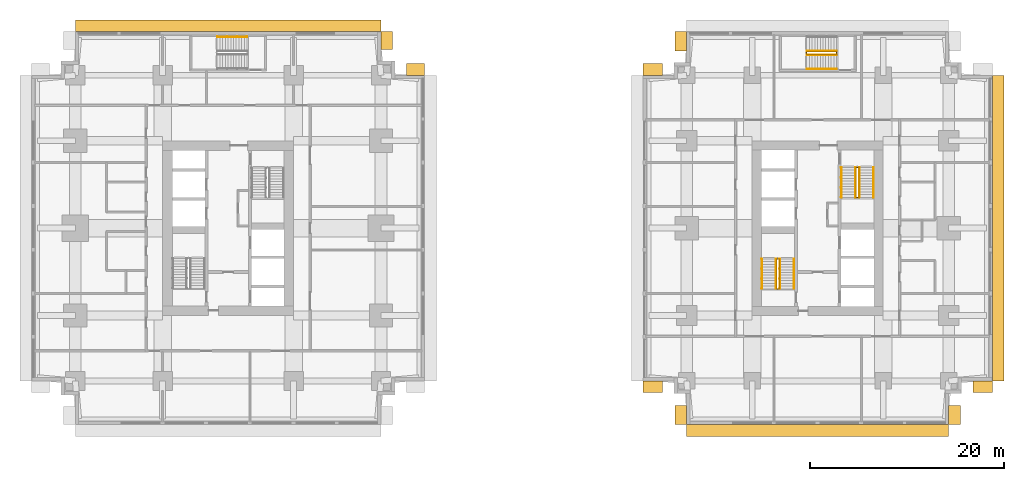
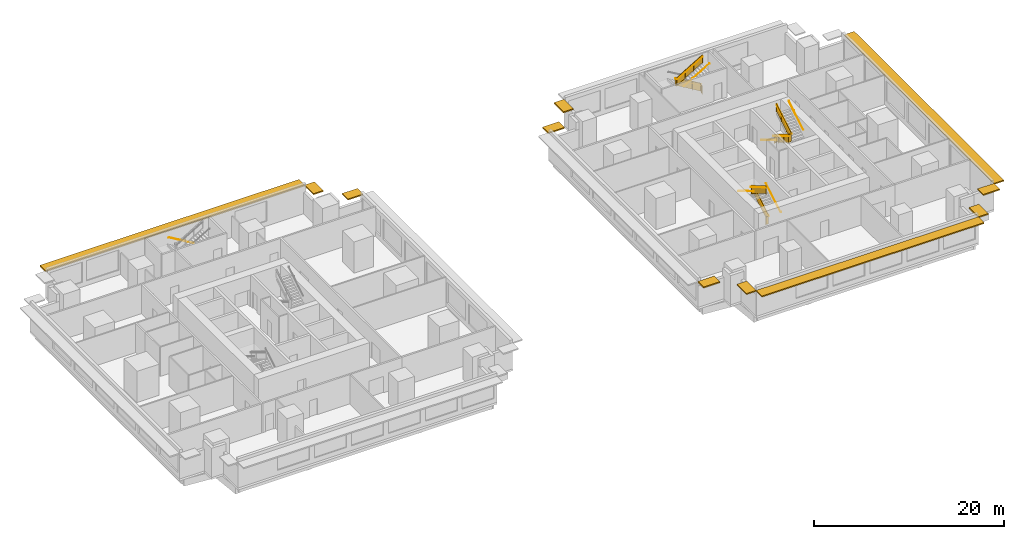
# One storey, part 10 of 11: 15 railings, 11 shading devices.
"""IFC4 building model written with IfcOpenShell, lengths in metres."""

from ifc_helpers import new_model, si_unit, direction, frame, origin, origin_2d, place, context, subcontext, project, spatial, polyline, rectangle, circle, outline, extrude, material, layer, layer_set, type_object, element, save


model = new_model("IFC4")

# Units and contexts
model_context = context("Model", 3, precision=1e-05, world=origin(), true_north=direction((0.0, 1.0)))
body_context = subcontext(model_context, "Body", "Model", "MODEL_VIEW")
ifc_project = project(units=[si_unit("LENGTHUNIT", "METRE"), si_unit("AREAUNIT", "SQUARE_METRE"), si_unit("VOLUMEUNIT", "CUBIC_METRE"), si_unit("PLANEANGLEUNIT", "RADIAN"), si_unit("MASSUNIT", "GRAM", prefix="KILO")], contexts=[model_context])

# Site, building, storey
site_placement = place(None, origin())
site = spatial("IfcSite", under=ifc_project, at=site_placement, CompositionType="ELEMENT")
building_placement = place(site_placement, origin())
building = spatial("IfcBuilding", under=site, at=building_placement, Name="Namib Vertical Campus", CompositionType="ELEMENT")
storey_placement = place(building_placement, frame((0.0, 0.0, 73.0)))
storey = spatial("IfcBuildingStorey", under=building, at=storey_placement, Name="L17", CompositionType="ELEMENT", Elevation=73.0)

# Railings
ifc_material_1 = material(Name="Steel handrail", Category="steel")
railing_type_1 = type_object("IfcRailingType", Name="Handrail 900", PredefinedType="HANDRAIL", material=ifc_material_1)
railing_1_placement = place(storey_placement, frame((78.550048828125, 14.0, 0.166748046875)))
element("IfcRailing", 1, at=railing_1_placement, inside=storey, type_object=railing_type_1, Name="Handrail HR1 B-S1 L17 1", PredefinedType="HANDRAIL", context=body_context, shape_type="SweptSolid", body=[
    extrude(circle(Radius=0.02392578125, at=origin_2d()), frame((0.0, 0.0, 0.8759765625), z_axis=(0.0, 0.859308565015, 0.511457515432), x_axis=(-1.0, 0.0, 0.0)), (0.0, 0.0, 1.0), 3.58447265625),
    extrude(circle(Radius=0.008056640625, at=origin_2d()), frame((0.0, 0.0, 0.8759765625), z_axis=(1.0, 0.0, 0.0), x_axis=(0.0, 0.0, 1.0)), (0.0, 0.0, 1.0), 0.050048828125),
    extrude(circle(Radius=0.008056640625, at=origin_2d()), frame((0.0, 1.026611328125, 1.48681640625), z_axis=(1.0, 0.0, 0.0), x_axis=(0.0, 0.0, 1.0)), (0.0, 0.0, 1.0), 0.050048828125),
    extrude(circle(Radius=0.008056640625, at=origin_2d()), frame((0.0, 2.053466796875, 2.09814453125), z_axis=(1.0, 0.0, 0.0), x_axis=(0.0, 0.0, 1.0)), (0.0, 0.0, 1.0), 0.050048828125),
    extrude(circle(Radius=0.008056640625, at=origin_2d()), frame((0.0, 3.080078125, 2.708984375), z_axis=(1.0, 0.0, 0.0), x_axis=(0.0, 0.0, 1.0)), (0.0, 0.0, 1.0), 0.050048828125),
])
railing_2_placement = place(storey_placement, frame((75.25, 17.080078125, 2.166748046875)))
element("IfcRailing", 2, at=railing_2_placement, inside=storey, type_object=railing_type_1, Name="Handrail HR1 B-S1 L17 2", PredefinedType="HANDRAIL", context=body_context, shape_type="SweptSolid", body=[
    extrude(circle(Radius=0.02392578125, at=origin_2d()), frame((0.0, 0.0, 0.8759765625), z_axis=(0.0, -0.859308565015, 0.511457515432), x_axis=(1.0, 0.0, 0.0)), (0.0, 0.0, 1.0), 3.58447265625),
    extrude(circle(Radius=0.008056640625, at=origin_2d()), frame((0.0, 0.0, 0.8759765625), z_axis=(-1.0, 0.0, 0.0), x_axis=(0.0, 0.0, 1.0)), (0.0, 0.0, 1.0), 0.050048828125),
    extrude(circle(Radius=0.008056640625, at=origin_2d()), frame((0.0, -1.026611328125, 1.48681640625), z_axis=(-1.0, 0.0, 0.0), x_axis=(0.0, 0.0, 1.0)), (0.0, 0.0, 1.0), 0.050048828125),
    extrude(circle(Radius=0.008056640625, at=origin_2d()), frame((0.0, -2.053466796875, 2.09814453125), z_axis=(-1.0, 0.0, 0.0), x_axis=(0.0, 0.0, 1.0)), (0.0, 0.0, 1.0), 0.050048828125),
    extrude(circle(Radius=0.008056640625, at=origin_2d()), frame((0.0, -3.080078125, 2.708984375), z_axis=(-1.0, 0.0, 0.0), x_axis=(0.0, 0.0, 1.0)), (0.0, 0.0, 1.0), 0.050048828125),
])
railing_3_placement = place(storey_placement, frame((77.10009765625, 14.0, 0.166748046875)))
element("IfcRailing", 3, at=railing_3_placement, inside=storey, type_object=railing_type_1, Name="Handrail HR1 B-S1 L17 1 at the well", PredefinedType="HANDRAIL", context=body_context, shape_type="SweptSolid", body=[
    extrude(circle(Radius=0.02392578125, at=origin_2d()), frame((0.0, 0.0, 0.8759765625), z_axis=(0.0, 0.859308565015, 0.511457515432), x_axis=(-1.0, 0.0, 0.0)), (0.0, 0.0, 1.0), 3.58447265625),
    extrude(circle(Radius=0.008056640625, at=origin_2d()), frame((0.0, 0.0, 0.8759765625), z_axis=(-1.0, 0.0, 0.0), x_axis=(0.0, 0.0, 1.0)), (0.0, 0.0, 1.0), 0.0400390625),
    extrude(circle(Radius=0.008056640625, at=origin_2d()), frame((0.0, 1.026611328125, 1.48681640625), z_axis=(-1.0, 0.0, 0.0), x_axis=(0.0, 0.0, 1.0)), (0.0, 0.0, 1.0), 0.0400390625),
    extrude(circle(Radius=0.008056640625, at=origin_2d()), frame((0.0, 2.053466796875, 2.09814453125), z_axis=(-1.0, 0.0, 0.0), x_axis=(0.0, 0.0, 1.0)), (0.0, 0.0, 1.0), 0.0400390625),
    extrude(circle(Radius=0.008056640625, at=origin_2d()), frame((0.0, 3.080078125, 2.708984375), z_axis=(-1.0, 0.0, 0.0), x_axis=(0.0, 0.0, 1.0)), (0.0, 0.0, 1.0), 0.0400390625),
])
railing_4_placement = place(storey_placement, frame((76.699951171875, 17.080078125, 2.166748046875)))
element("IfcRailing", 4, at=railing_4_placement, inside=storey, type_object=railing_type_1, Name="Handrail HR1 B-S1 L17 2 at the well", PredefinedType="HANDRAIL", context=body_context, shape_type="SweptSolid", body=[
    extrude(circle(Radius=0.02392578125, at=origin_2d()), frame((0.0, 0.0, 0.8759765625), z_axis=(0.0, -0.859308565015, 0.511457515432), x_axis=(1.0, 0.0, 0.0)), (0.0, 0.0, 1.0), 3.58447265625),
    extrude(circle(Radius=0.008056640625, at=origin_2d()), frame((0.0, 0.0, 0.8759765625), z_axis=(1.0, 0.0, 0.0), x_axis=(0.0, 0.0, 1.0)), (0.0, 0.0, 1.0), 0.0400390625),
    extrude(circle(Radius=0.008056640625, at=origin_2d()), frame((0.0, -1.026611328125, 1.48681640625), z_axis=(1.0, 0.0, 0.0), x_axis=(0.0, 0.0, 1.0)), (0.0, 0.0, 1.0), 0.0400390625),
    extrude(circle(Radius=0.008056640625, at=origin_2d()), frame((0.0, -2.053466796875, 2.09814453125), z_axis=(1.0, 0.0, 0.0), x_axis=(0.0, 0.0, 1.0)), (0.0, 0.0, 1.0), 0.0400390625),
    extrude(circle(Radius=0.008056640625, at=origin_2d()), frame((0.0, -3.080078125, 2.708984375), z_axis=(1.0, 0.0, 0.0), x_axis=(0.0, 0.0, 1.0)), (0.0, 0.0, 1.0), 0.0400390625),
])
railing_5_placement = place(storey_placement, frame((83.449951171875, 26.5, 0.166748046875)))
element("IfcRailing", 5, at=railing_5_placement, inside=storey, type_object=railing_type_1, Name="Handrail HR1 B-S2 L17 1", PredefinedType="HANDRAIL", context=body_context, shape_type="SweptSolid", body=[
    extrude(circle(Radius=0.02392578125, at=origin_2d()), frame((0.0, 0.0, 0.8759765625), z_axis=(0.0, -0.859308565015, 0.511457515432), x_axis=(1.0, 0.0, 0.0)), (0.0, 0.0, 1.0), 3.58447265625),
    extrude(circle(Radius=0.008056640625, at=origin_2d()), frame((0.0, 0.0, 0.8759765625), z_axis=(-1.0, 0.0, 0.0), x_axis=(0.0, 0.0, 1.0)), (0.0, 0.0, 1.0), 0.050048828125),
    extrude(circle(Radius=0.008056640625, at=origin_2d()), frame((0.0, -1.026611328125, 1.48681640625), z_axis=(-1.0, 0.0, 0.0), x_axis=(0.0, 0.0, 1.0)), (0.0, 0.0, 1.0), 0.050048828125),
    extrude(circle(Radius=0.008056640625, at=origin_2d()), frame((0.0, -2.053466796875, 2.09814453125), z_axis=(-1.0, 0.0, 0.0), x_axis=(0.0, 0.0, 1.0)), (0.0, 0.0, 1.0), 0.050048828125),
    extrude(circle(Radius=0.008056640625, at=origin_2d()), frame((0.0, -3.080078125, 2.708984375), z_axis=(-1.0, 0.0, 0.0), x_axis=(0.0, 0.0, 1.0)), (0.0, 0.0, 1.0), 0.050048828125),
])
railing_6_placement = place(storey_placement, frame((86.75, 23.419921875, 2.166748046875)))
element("IfcRailing", 6, at=railing_6_placement, inside=storey, type_object=railing_type_1, Name="Handrail HR1 B-S2 L17 2", PredefinedType="HANDRAIL", context=body_context, shape_type="SweptSolid", body=[
    extrude(circle(Radius=0.02392578125, at=origin_2d()), frame((0.0, 0.0, 0.8759765625), z_axis=(0.0, 0.859308565015, 0.511457515432), x_axis=(-1.0, 0.0, 0.0)), (0.0, 0.0, 1.0), 3.58447265625),
    extrude(circle(Radius=0.008056640625, at=origin_2d()), frame((0.0, 0.0, 0.8759765625), z_axis=(1.0, 0.0, 0.0), x_axis=(0.0, 0.0, 1.0)), (0.0, 0.0, 1.0), 0.050048828125),
    extrude(circle(Radius=0.008056640625, at=origin_2d()), frame((0.0, 1.026611328125, 1.48681640625), z_axis=(1.0, 0.0, 0.0), x_axis=(0.0, 0.0, 1.0)), (0.0, 0.0, 1.0), 0.050048828125),
    extrude(circle(Radius=0.008056640625, at=origin_2d()), frame((0.0, 2.053466796875, 2.09814453125), z_axis=(1.0, 0.0, 0.0), x_axis=(0.0, 0.0, 1.0)), (0.0, 0.0, 1.0), 0.050048828125),
    extrude(circle(Radius=0.008056640625, at=origin_2d()), frame((0.0, 3.080078125, 2.708984375), z_axis=(1.0, 0.0, 0.0), x_axis=(0.0, 0.0, 1.0)), (0.0, 0.0, 1.0), 0.050048828125),
])
railing_7_placement = place(storey_placement, frame((84.89990234375, 26.5, 0.166748046875)))
element("IfcRailing", 7, at=railing_7_placement, inside=storey, type_object=railing_type_1, Name="Handrail HR1 B-S2 L17 1 at the well", PredefinedType="HANDRAIL", context=body_context, shape_type="SweptSolid", body=[
    extrude(circle(Radius=0.02392578125, at=origin_2d()), frame((0.0, 0.0, 0.8759765625), z_axis=(0.0, -0.859308565015, 0.511457515432), x_axis=(1.0, 0.0, 0.0)), (0.0, 0.0, 1.0), 3.58447265625),
    extrude(circle(Radius=0.008056640625, at=origin_2d()), frame((0.0, 0.0, 0.8759765625), z_axis=(1.0, 0.0, 0.0), x_axis=(0.0, 0.0, 1.0)), (0.0, 0.0, 1.0), 0.0400390625),
    extrude(circle(Radius=0.008056640625, at=origin_2d()), frame((0.0, -1.026611328125, 1.48681640625), z_axis=(1.0, 0.0, 0.0), x_axis=(0.0, 0.0, 1.0)), (0.0, 0.0, 1.0), 0.0400390625),
    extrude(circle(Radius=0.008056640625, at=origin_2d()), frame((0.0, -2.053466796875, 2.09814453125), z_axis=(1.0, 0.0, 0.0), x_axis=(0.0, 0.0, 1.0)), (0.0, 0.0, 1.0), 0.0400390625),
    extrude(circle(Radius=0.008056640625, at=origin_2d()), frame((0.0, -3.080078125, 2.708984375), z_axis=(1.0, 0.0, 0.0), x_axis=(0.0, 0.0, 1.0)), (0.0, 0.0, 1.0), 0.0400390625),
])
railing_8_placement = place(storey_placement, frame((85.300048828125, 23.419921875, 2.166748046875)))
element("IfcRailing", 8, at=railing_8_placement, inside=storey, type_object=railing_type_1, Name="Handrail HR1 B-S2 L17 2 at the well", PredefinedType="HANDRAIL", context=body_context, shape_type="SweptSolid", body=[
    extrude(circle(Radius=0.02392578125, at=origin_2d()), frame((0.0, 0.0, 0.8759765625), z_axis=(0.0, 0.859308565015, 0.511457515432), x_axis=(-1.0, 0.0, 0.0)), (0.0, 0.0, 1.0), 3.58447265625),
    extrude(circle(Radius=0.008056640625, at=origin_2d()), frame((0.0, 0.0, 0.8759765625), z_axis=(-1.0, 0.0, 0.0), x_axis=(0.0, 0.0, 1.0)), (0.0, 0.0, 1.0), 0.0400390625),
    extrude(circle(Radius=0.008056640625, at=origin_2d()), frame((0.0, 1.026611328125, 1.48681640625), z_axis=(-1.0, 0.0, 0.0), x_axis=(0.0, 0.0, 1.0)), (0.0, 0.0, 1.0), 0.0400390625),
    extrude(circle(Radius=0.008056640625, at=origin_2d()), frame((0.0, 2.053466796875, 2.09814453125), z_axis=(-1.0, 0.0, 0.0), x_axis=(0.0, 0.0, 1.0)), (0.0, 0.0, 1.0), 0.0400390625),
    extrude(circle(Radius=0.008056640625, at=origin_2d()), frame((0.0, 3.080078125, 2.708984375), z_axis=(-1.0, 0.0, 0.0), x_axis=(0.0, 0.0, 1.0)), (0.0, 0.0, 1.0), 0.0400390625),
])
railing_9_placement = place(storey_placement, frame((22.199951171875, 39.949951171875, 0.166748046875)))
element("IfcRailing", 9, at=railing_9_placement, inside=storey, type_object=railing_type_1, Name="Handrail HR1 A-S3 L17 1", PredefinedType="HANDRAIL", context=body_context, shape_type="SweptSolid", body=[
    extrude(circle(Radius=0.02392578125, at=origin_2d()), frame((0.0, 0.0, 0.8759765625), z_axis=(-0.859290745958, 0.0, 0.51148745235), x_axis=(0.0, -1.0, 0.0)), (0.0, 0.0, 1.0), 3.584228515625),
    extrude(circle(Radius=0.008056640625, at=origin_2d()), frame((0.0, 0.0, 0.8759765625), z_axis=(0.0, 1.0, 0.0), x_axis=(0.0, 0.0, 1.0)), (0.0, 0.0, 1.0), 0.050048828125),
    extrude(circle(Radius=0.008056640625, at=origin_2d()), frame((-1.026611328125, 0.0, 1.48681640625), z_axis=(0.0, 1.0, 0.0), x_axis=(0.0, 0.0, 1.0)), (0.0, 0.0, 1.0), 0.050048828125),
    extrude(circle(Radius=0.008056640625, at=origin_2d()), frame((-2.05322265625, 0.0, 2.09814453125), z_axis=(0.0, 1.0, 0.0), x_axis=(0.0, 0.0, 1.0)), (0.0, 0.0, 1.0), 0.050048828125),
    extrude(circle(Radius=0.008056640625, at=origin_2d()), frame((-3.079833984375, 0.0, 2.708984375), z_axis=(0.0, 1.0, 0.0), x_axis=(0.0, 0.0, 1.0)), (0.0, 0.0, 1.0), 0.050048828125),
])
railing_10_placement = place(storey_placement, frame((79.8701171875, 36.64990234375, 2.166748046875)))
element("IfcRailing", 10, at=railing_10_placement, inside=storey, type_object=railing_type_1, Name="Handrail HR1 B-S3 L17 2", PredefinedType="HANDRAIL", context=body_context, shape_type="SweptSolid", body=[
    extrude(circle(Radius=0.02392578125, at=origin_2d()), frame((0.0, 0.0, 0.8759765625), z_axis=(0.859290745958, 0.0, 0.51148745235), x_axis=(0.0, 1.0, 0.0)), (0.0, 0.0, 1.0), 3.584228515625),
    extrude(circle(Radius=0.008056640625, at=origin_2d()), frame((0.0, 0.0, 0.8759765625), z_axis=(0.0, -1.0, 0.0), x_axis=(0.0, 0.0, 1.0)), (0.0, 0.0, 1.0), 0.050048828125),
    extrude(circle(Radius=0.008056640625, at=origin_2d()), frame((1.026611328125, 0.0, 1.48681640625), z_axis=(0.0, -1.0, 0.0), x_axis=(0.0, 0.0, 1.0)), (0.0, 0.0, 1.0), 0.050048828125),
    extrude(circle(Radius=0.008056640625, at=origin_2d()), frame((2.05322265625, 0.0, 2.09814453125), z_axis=(0.0, -1.0, 0.0), x_axis=(0.0, 0.0, 1.0)), (0.0, 0.0, 1.0), 0.050048828125),
    extrude(circle(Radius=0.008056640625, at=origin_2d()), frame((3.079833984375, 0.0, 2.708984375), z_axis=(0.0, -1.0, 0.0), x_axis=(0.0, 0.0, 1.0)), (0.0, 0.0, 1.0), 0.050048828125),
])
railing_11_placement = place(storey_placement, frame((82.949951171875, 38.5, 0.166748046875)))
element("IfcRailing", 11, at=railing_11_placement, inside=storey, type_object=railing_type_1, Name="Handrail HR1 B-S3 L17 1 at the well", PredefinedType="HANDRAIL", context=body_context, shape_type="SweptSolid", body=[
    extrude(circle(Radius=0.02392578125, at=origin_2d()), frame((0.0, 0.0, 0.8759765625), z_axis=(-0.859290745958, 0.0, 0.51148745235), x_axis=(0.0, -1.0, 0.0)), (0.0, 0.0, 1.0), 3.584228515625),
    extrude(circle(Radius=0.008056640625, at=origin_2d()), frame((0.0, 0.0, 0.8759765625), z_axis=(0.0, -1.0, 0.0), x_axis=(0.0, 0.0, 1.0)), (0.0, 0.0, 1.0), 0.0400390625),
    extrude(circle(Radius=0.008056640625, at=origin_2d()), frame((-1.026611328125, 0.0, 1.48681640625), z_axis=(0.0, -1.0, 0.0), x_axis=(0.0, 0.0, 1.0)), (0.0, 0.0, 1.0), 0.0400390625),
    extrude(circle(Radius=0.008056640625, at=origin_2d()), frame((-2.05322265625, 0.0, 2.09814453125), z_axis=(0.0, -1.0, 0.0), x_axis=(0.0, 0.0, 1.0)), (0.0, 0.0, 1.0), 0.0400390625),
    extrude(circle(Radius=0.008056640625, at=origin_2d()), frame((-3.079833984375, 0.0, 2.708984375), z_axis=(0.0, -1.0, 0.0), x_axis=(0.0, 0.0, 1.0)), (0.0, 0.0, 1.0), 0.0400390625),
])
railing_12_placement = place(storey_placement, frame((79.8701171875, 38.10009765625, 2.166748046875)))
element("IfcRailing", 12, at=railing_12_placement, inside=storey, type_object=railing_type_1, Name="Handrail HR1 B-S3 L17 2 at the well", PredefinedType="HANDRAIL", context=body_context, shape_type="SweptSolid", body=[
    extrude(circle(Radius=0.02392578125, at=origin_2d()), frame((0.0, 0.0, 0.8759765625), z_axis=(0.859290745958, 0.0, 0.51148745235), x_axis=(0.0, 1.0, 0.0)), (0.0, 0.0, 1.0), 3.584228515625),
    extrude(circle(Radius=0.008056640625, at=origin_2d()), frame((0.0, 0.0, 0.8759765625), z_axis=(0.0, 1.0, 0.0), x_axis=(0.0, 0.0, 1.0)), (0.0, 0.0, 1.0), 0.0400390625),
    extrude(circle(Radius=0.008056640625, at=origin_2d()), frame((1.026611328125, 0.0, 1.48681640625), z_axis=(0.0, 1.0, 0.0), x_axis=(0.0, 0.0, 1.0)), (0.0, 0.0, 1.0), 0.0400390625),
    extrude(circle(Radius=0.008056640625, at=origin_2d()), frame((2.05322265625, 0.0, 2.09814453125), z_axis=(0.0, 1.0, 0.0), x_axis=(0.0, 0.0, 1.0)), (0.0, 0.0, 1.0), 0.0400390625),
    extrude(circle(Radius=0.008056640625, at=origin_2d()), frame((3.079833984375, 0.0, 2.708984375), z_axis=(0.0, 1.0, 0.0), x_axis=(0.0, 0.0, 1.0)), (0.0, 0.0, 1.0), 0.0400390625),
])
ifc_material_2 = material(Name="Steel balustrade", Category="steel")
railing_type_2 = type_object("IfcRailingType", Name="Stair guard 1100", PredefinedType="GUARDRAIL", material=ifc_material_2)
railing_13_placement = place(storey_placement, frame((76.75, 14.0, 0.0)))
element("IfcRailing", 13, at=railing_13_placement, inside=storey, type_object=railing_type_2, Name="Stair guard GR1 B-S1 L17", PredefinedType="GUARDRAIL", context=body_context, shape_type="SweptSolid", body=[
    extrude(circle(Radius=0.02392578125, at=origin_2d()), frame((0.0, 0.0, 1.076171875), z_axis=(1.0, 0.0, 0.0), x_axis=(0.0, 1.0, 0.0)), (0.0, 0.0, 1.0), 0.300048828125),
    extrude(outline(polyline([(0.02099609375, 0.050048828125), (0.279052734375, 0.050048828125), (0.279052734375, 1.052001953125), (0.02099609375, 1.052001953125), (0.02099609375, 0.050048828125)])), frame((0.0, 0.010009765625, 0.0), z_axis=(0.0, -1.0, 0.0), x_axis=(1.0, 0.0, 0.0)), (0.0, 0.0, 1.0), 0.02001953125),
    extrude(circle(Radius=0.02392578125, at=origin_2d()), frame((0.300048828125, 0.0, 1.076171875), z_axis=(0.0, 0.0, 1.0), x_axis=(1.0, 0.0, 0.0)), (0.0, 0.0, 1.0), 0.166748046875),
    extrude(circle(Radius=0.02392578125, at=origin_2d()), frame((0.300048828125, 0.0, 1.24267578125), z_axis=(0.0, 0.859308565015, 0.511457515432), x_axis=(-1.0, 0.0, 0.0)), (0.0, 0.0, 1.0), 3.58447265625),
    extrude(outline(polyline([(0.02099609375, 0.0625), (3.05908203125, 1.870849609375), (3.05908203125, 2.872802734375), (0.02099609375, 1.064453125), (0.02099609375, 0.0625)])), frame((0.2900390625, 0.0, 0.166748046875), z_axis=(1.0, 0.0, 0.0), x_axis=(0.0, 1.0, 0.0)), (0.0, 0.0, 1.0), 0.02001953125),
    extrude(circle(Radius=0.02392578125, at=origin_2d()), frame((0.300048828125, 3.080078125, 3.076171875), z_axis=(-1.0, 0.0, 0.0), x_axis=(0.0, -1.0, 0.0)), (0.0, 0.0, 1.0), 0.300048828125),
    extrude(outline(polyline([(0.02099609375, 0.050048828125), (0.279052734375, 0.050048828125), (0.279052734375, 1.052001953125), (0.02099609375, 1.052001953125), (0.02099609375, 0.050048828125)])), frame((0.300048828125, 3.070068359375, 2.0), z_axis=(0.0, 1.0, 0.0), x_axis=(-1.0, 0.0, 0.0)), (0.0, 0.0, 1.0), 0.02001953125),
    extrude(circle(Radius=0.02392578125, at=origin_2d()), frame((0.0, 3.080078125, 3.076171875), z_axis=(0.0, 0.0, 1.0), x_axis=(1.0, 0.0, 0.0)), (0.0, 0.0, 1.0), 0.166748046875),
    extrude(circle(Radius=0.02392578125, at=origin_2d()), frame((0.0, 3.080078125, 3.24267578125), z_axis=(0.0, -0.859308565015, 0.511457515432), x_axis=(1.0, 0.0, 0.0)), (0.0, 0.0, 1.0), 3.58447265625),
    extrude(outline(polyline([(0.02099609375, 0.0625), (3.05908203125, 1.870849609375), (3.05908203125, 2.872802734375), (0.02099609375, 1.064453125), (0.02099609375, 0.0625)])), frame((0.010009765625, 3.080078125, 2.166748046875), z_axis=(-1.0, 0.0, 0.0), x_axis=(0.0, -1.0, 0.0)), (0.0, 0.0, 1.0), 0.02001953125),
    extrude(circle(Radius=0.02392578125, at=origin_2d()), frame((0.0, 0.0, 5.076171875), z_axis=(0.0, -1.0, 0.0), x_axis=(1.0, 0.0, 0.0)), (0.0, 0.0, 1.0), 0.050048828125),
    extrude(outline(polyline([(0.02099609375, 0.050048828125), (0.029052734375, 0.050048828125), (0.029052734375, 1.052001953125), (0.02099609375, 1.052001953125), (0.02099609375, 0.050048828125)])), frame((0.010009765625, 0.0, 4.0), z_axis=(-1.0, 0.0, 0.0), x_axis=(0.0, -1.0, 0.0)), (0.0, 0.0, 1.0), 0.02001953125),
    extrude(circle(Radius=0.02099609375, at=origin_2d()), origin(), (0.0, 0.0, 1.0), 1.052001953125),
    extrude(circle(Radius=0.02099609375, at=origin_2d()), frame((0.300048828125, 0.0, 0.166748046875)), (0.0, 0.0, 1.0), 1.052001953125),
    extrude(circle(Radius=0.02099609375, at=origin_2d()), frame((0.300048828125, 1.026611328125, 0.666748046875)), (0.0, 0.0, 1.0), 1.1630859375),
    extrude(circle(Radius=0.02099609375, at=origin_2d()), frame((0.300048828125, 2.053466796875, 1.33349609375)), (0.0, 0.0, 1.0), 1.107421875),
    extrude(circle(Radius=0.02099609375, at=origin_2d()), frame((0.300048828125, 3.080078125, 2.0)), (0.0, 0.0, 1.0), 1.052001953125),
    extrude(circle(Radius=0.02099609375, at=origin_2d()), frame((0.0, 3.080078125, 2.166748046875)), (0.0, 0.0, 1.0), 1.052001953125),
    extrude(circle(Radius=0.02099609375, at=origin_2d()), frame((0.0, 2.053466796875, 2.666748046875)), (0.0, 0.0, 1.0), 1.1630859375),
    extrude(circle(Radius=0.02099609375, at=origin_2d()), frame((0.0, 1.026611328125, 3.33349609375)), (0.0, 0.0, 1.0), 1.107421875),
    extrude(circle(Radius=0.02099609375, at=origin_2d()), frame((0.0, 0.0, 4.0)), (0.0, 0.0, 1.0), 1.052001953125),
    extrude(circle(Radius=0.02099609375, at=origin_2d()), frame((0.0, -0.050048828125, 4.0)), (0.0, 0.0, 1.0), 1.052001953125),
])
railing_14_placement = place(storey_placement, frame((85.25, 26.5, 0.0)))
element("IfcRailing", 14, at=railing_14_placement, inside=storey, type_object=railing_type_2, Name="Stair guard GR1 B-S2 L17", PredefinedType="GUARDRAIL", context=body_context, shape_type="SweptSolid", body=[
    extrude(circle(Radius=0.02392578125, at=origin_2d()), frame((0.0, 0.0, 1.076171875), z_axis=(-1.0, 0.0, 0.0), x_axis=(0.0, -1.0, 0.0)), (0.0, 0.0, 1.0), 0.300048828125),
    extrude(outline(polyline([(0.02099609375, 0.050048828125), (0.279052734375, 0.050048828125), (0.279052734375, 1.052001953125), (0.02099609375, 1.052001953125), (0.02099609375, 0.050048828125)])), frame((0.0, -0.010009765625, 0.0), z_axis=(0.0, 1.0, 0.0), x_axis=(-1.0, 0.0, 0.0)), (0.0, 0.0, 1.0), 0.02001953125),
    extrude(circle(Radius=0.02392578125, at=origin_2d()), frame((-0.300048828125, 0.0, 1.076171875), z_axis=(0.0, 0.0, 1.0), x_axis=(1.0, 0.0, 0.0)), (0.0, 0.0, 1.0), 0.166748046875),
    extrude(circle(Radius=0.02392578125, at=origin_2d()), frame((-0.300048828125, 0.0, 1.24267578125), z_axis=(0.0, -0.859308565015, 0.511457515432), x_axis=(1.0, 0.0, 0.0)), (0.0, 0.0, 1.0), 3.58447265625),
    extrude(outline(polyline([(0.02099609375, 0.0625), (3.05908203125, 1.870849609375), (3.05908203125, 2.872802734375), (0.02099609375, 1.064453125), (0.02099609375, 0.0625)])), frame((-0.2900390625, 0.0, 0.166748046875), z_axis=(-1.0, 0.0, 0.0), x_axis=(0.0, -1.0, 0.0)), (0.0, 0.0, 1.0), 0.02001953125),
    extrude(circle(Radius=0.02392578125, at=origin_2d()), frame((-0.300048828125, -3.080078125, 3.076171875), z_axis=(1.0, 0.0, 0.0), x_axis=(0.0, 1.0, 0.0)), (0.0, 0.0, 1.0), 0.300048828125),
    extrude(outline(polyline([(0.02099609375, 0.050048828125), (0.279052734375, 0.050048828125), (0.279052734375, 1.052001953125), (0.02099609375, 1.052001953125), (0.02099609375, 0.050048828125)])), frame((-0.300048828125, -3.070068359375, 2.0), z_axis=(0.0, -1.0, 0.0), x_axis=(1.0, 0.0, 0.0)), (0.0, 0.0, 1.0), 0.02001953125),
    extrude(circle(Radius=0.02392578125, at=origin_2d()), frame((0.0, -3.080078125, 3.076171875), z_axis=(0.0, 0.0, 1.0), x_axis=(1.0, 0.0, 0.0)), (0.0, 0.0, 1.0), 0.166748046875),
    extrude(circle(Radius=0.02392578125, at=origin_2d()), frame((0.0, -3.080078125, 3.24267578125), z_axis=(0.0, 0.859308565015, 0.511457515432), x_axis=(-1.0, 0.0, 0.0)), (0.0, 0.0, 1.0), 3.58447265625),
    extrude(outline(polyline([(0.02099609375, 0.0625), (3.05908203125, 1.870849609375), (3.05908203125, 2.872802734375), (0.02099609375, 1.064453125), (0.02099609375, 0.0625)])), frame((-0.010009765625, -3.080078125, 2.166748046875), z_axis=(1.0, 0.0, 0.0), x_axis=(0.0, 1.0, 0.0)), (0.0, 0.0, 1.0), 0.02001953125),
    extrude(circle(Radius=0.02392578125, at=origin_2d()), frame((0.0, 0.0, 5.076171875), z_axis=(0.0, 1.0, 0.0), x_axis=(-1.0, 0.0, 0.0)), (0.0, 0.0, 1.0), 0.050048828125),
    extrude(outline(polyline([(0.02099609375, 0.050048828125), (0.029052734375, 0.050048828125), (0.029052734375, 1.052001953125), (0.02099609375, 1.052001953125), (0.02099609375, 0.050048828125)])), frame((-0.010009765625, 0.0, 4.0), z_axis=(1.0, 0.0, 0.0), x_axis=(0.0, 1.0, 0.0)), (0.0, 0.0, 1.0), 0.02001953125),
    extrude(circle(Radius=0.02099609375, at=origin_2d()), origin(), (0.0, 0.0, 1.0), 1.052001953125),
    extrude(circle(Radius=0.02099609375, at=origin_2d()), frame((-0.300048828125, 0.0, 0.166748046875)), (0.0, 0.0, 1.0), 1.052001953125),
    extrude(circle(Radius=0.02099609375, at=origin_2d()), frame((-0.300048828125, -1.026611328125, 0.666748046875)), (0.0, 0.0, 1.0), 1.1630859375),
    extrude(circle(Radius=0.02099609375, at=origin_2d()), frame((-0.300048828125, -2.053466796875, 1.33349609375)), (0.0, 0.0, 1.0), 1.107421875),
    extrude(circle(Radius=0.02099609375, at=origin_2d()), frame((-0.300048828125, -3.080078125, 2.0)), (0.0, 0.0, 1.0), 1.052001953125),
    extrude(circle(Radius=0.02099609375, at=origin_2d()), frame((0.0, -3.080078125, 2.166748046875)), (0.0, 0.0, 1.0), 1.052001953125),
    extrude(circle(Radius=0.02099609375, at=origin_2d()), frame((0.0, -2.053466796875, 2.666748046875)), (0.0, 0.0, 1.0), 1.1630859375),
    extrude(circle(Radius=0.02099609375, at=origin_2d()), frame((0.0, -1.026611328125, 3.33349609375)), (0.0, 0.0, 1.0), 1.107421875),
    extrude(circle(Radius=0.02099609375, at=origin_2d()), frame((0.0, 0.0, 4.0)), (0.0, 0.0, 1.0), 1.052001953125),
    extrude(circle(Radius=0.02099609375, at=origin_2d()), frame((0.0, 0.050048828125, 4.0)), (0.0, 0.0, 1.0), 1.052001953125),
])
railing_15_placement = place(storey_placement, frame((82.949951171875, 38.14990234375, 0.0)))
element("IfcRailing", 15, at=railing_15_placement, inside=storey, type_object=railing_type_2, Name="Stair guard GR1 B-S3 L17", PredefinedType="GUARDRAIL", context=body_context, shape_type="SweptSolid", body=[
    extrude(circle(Radius=0.02392578125, at=origin_2d()), frame((0.0, 0.0, 1.076171875), z_axis=(0.0, 1.0, 0.0), x_axis=(-1.0, 0.0, 0.0)), (0.0, 0.0, 1.0), 0.300048828125),
    extrude(outline(polyline([(0.02099609375, 0.050048828125), (0.279052734375, 0.050048828125), (0.279052734375, 1.052001953125), (0.02099609375, 1.052001953125), (0.02099609375, 0.050048828125)])), frame((-0.010009765625, 0.0, 0.0), z_axis=(1.0, 0.0, 0.0), x_axis=(0.0, 1.0, 0.0)), (0.0, 0.0, 1.0), 0.02001953125),
    extrude(circle(Radius=0.02392578125, at=origin_2d()), frame((0.0, 0.300048828125, 1.076171875), z_axis=(0.0, 0.0, 1.0), x_axis=(1.0, 0.0, 0.0)), (0.0, 0.0, 1.0), 0.166748046875),
    extrude(circle(Radius=0.02392578125, at=origin_2d()), frame((0.0, 0.300048828125, 1.24267578125), z_axis=(-0.859290745958, 0.0, 0.51148745235), x_axis=(0.0, -1.0, 0.0)), (0.0, 0.0, 1.0), 3.584228515625),
    extrude(outline(polyline([(0.02099609375, 0.0625), (3.058837890625, 1.870849609375), (3.058837890625, 2.872802734375), (0.02099609375, 1.064453125), (0.02099609375, 0.0625)])), frame((0.0, 0.2900390625, 0.166748046875), z_axis=(0.0, 1.0, 0.0), x_axis=(-1.0, 0.0, 0.0)), (0.0, 0.0, 1.0), 0.02001953125),
    extrude(circle(Radius=0.02392578125, at=origin_2d()), frame((-3.079833984375, 0.300048828125, 3.076171875), z_axis=(0.0, -1.0, 0.0), x_axis=(1.0, 0.0, 0.0)), (0.0, 0.0, 1.0), 0.300048828125),
    extrude(outline(polyline([(0.02099609375, 0.050048828125), (0.279052734375, 0.050048828125), (0.279052734375, 1.052001953125), (0.02099609375, 1.052001953125), (0.02099609375, 0.050048828125)])), frame((-3.06982421875, 0.300048828125, 2.0), z_axis=(-1.0, 0.0, 0.0), x_axis=(0.0, -1.0, 0.0)), (0.0, 0.0, 1.0), 0.02001953125),
    extrude(circle(Radius=0.02392578125, at=origin_2d()), frame((-3.079833984375, 0.0, 3.076171875), z_axis=(0.0, 0.0, 1.0), x_axis=(1.0, 0.0, 0.0)), (0.0, 0.0, 1.0), 0.166748046875),
    extrude(circle(Radius=0.02392578125, at=origin_2d()), frame((-3.079833984375, 0.0, 3.24267578125), z_axis=(0.859290745958, 0.0, 0.51148745235), x_axis=(0.0, 1.0, 0.0)), (0.0, 0.0, 1.0), 3.584228515625),
    extrude(outline(polyline([(0.02099609375, 0.0625), (3.058837890625, 1.870849609375), (3.058837890625, 2.872802734375), (0.02099609375, 1.064453125), (0.02099609375, 0.0625)])), frame((-3.079833984375, 0.010009765625, 2.166748046875), z_axis=(0.0, -1.0, 0.0), x_axis=(1.0, 0.0, 0.0)), (0.0, 0.0, 1.0), 0.02001953125),
    extrude(circle(Radius=0.02392578125, at=origin_2d()), frame((0.0, 0.0, 5.076171875), z_axis=(1.0, 0.0, 0.0), x_axis=(0.0, 1.0, 0.0)), (0.0, 0.0, 1.0), 0.050048828125),
    extrude(outline(polyline([(0.02099609375, 0.050048828125), (0.029052734375, 0.050048828125), (0.029052734375, 1.052001953125), (0.02099609375, 1.052001953125), (0.02099609375, 0.050048828125)])), frame((0.0, 0.010009765625, 4.0), z_axis=(0.0, -1.0, 0.0), x_axis=(1.0, 0.0, 0.0)), (0.0, 0.0, 1.0), 0.02001953125),
    extrude(circle(Radius=0.02099609375, at=origin_2d()), origin(), (0.0, 0.0, 1.0), 1.052001953125),
    extrude(circle(Radius=0.02099609375, at=origin_2d()), frame((0.0, 0.300048828125, 0.166748046875)), (0.0, 0.0, 1.0), 1.052001953125),
    extrude(circle(Radius=0.02099609375, at=origin_2d()), frame((-1.026611328125, 0.300048828125, 0.666748046875)), (0.0, 0.0, 1.0), 1.1630859375),
    extrude(circle(Radius=0.02099609375, at=origin_2d()), frame((-2.05322265625, 0.300048828125, 1.33349609375)), (0.0, 0.0, 1.0), 1.107421875),
    extrude(circle(Radius=0.02099609375, at=origin_2d()), frame((-3.079833984375, 0.300048828125, 2.0)), (0.0, 0.0, 1.0), 1.052001953125),
    extrude(circle(Radius=0.02099609375, at=origin_2d()), frame((-3.079833984375, 0.0, 2.166748046875)), (0.0, 0.0, 1.0), 1.052001953125),
    extrude(circle(Radius=0.02099609375, at=origin_2d()), frame((-2.05322265625, 0.0, 2.666748046875)), (0.0, 0.0, 1.0), 1.1630859375),
    extrude(circle(Radius=0.02099609375, at=origin_2d()), frame((-1.026611328125, 0.0, 3.33349609375)), (0.0, 0.0, 1.0), 1.107421875),
    extrude(circle(Radius=0.02099609375, at=origin_2d()), frame((0.0, 0.0, 4.0)), (0.0, 0.0, 1.0), 1.052001953125),
    extrude(circle(Radius=0.02099609375, at=origin_2d()), frame((0.050048828125, 0.0, 4.0)), (0.0, 0.0, 1.0), 1.052001953125),
])

# Shading devices
ifc_material_3 = material(Name="Concrete C40/50 precast", Category="concrete")
ifc_layer = layer(ifc_material_3, 0.14990234375)
ifc_layer_set = layer_set([ifc_layer], Name="Concrete C40/50 precast")
shading_device_type = type_object("IfcShadingDeviceType", Name="Sunshade hood 1200", PredefinedType="SHUTTER", material=ifc_layer_set)
for number, where, z_axis, x_axis, name in (
    (16, (39.574951171875, 36.60009765625, 3.199951171875), (0.0, 0.0, 1.0), (-1.0, 0.0, 0.0), "Sunshade SH2 L17 7"),
    (17, (36.60009765625, 39.574951171875, 3.199951171875), (0.0, 0.0, 1.0), (0.0, 1.0, 0.0), "Sunshade SH2 L17 10"),
):
    element("IfcShadingDevice", number, at=place(storey_placement, frame(where, z_axis=z_axis, x_axis=x_axis)), inside=storey, type_object=shading_device_type, Name=name, PredefinedType="SHUTTER", context=body_context, shape_type="SweptSolid", body=[
        extrude(rectangle(XDim=1.85009765625, YDim=1.199951171875, at=origin_2d()), origin(), (0.0, 0.0, 1.0), 0.14990234375),
    ])
shading_device_1_placement = place(storey_placement, frame((20.25, 41.10009765625, 3.199951171875), z_axis=(0.0, 0.0, 1.0), x_axis=(-1.0, 0.0, 0.0)))
element("IfcShadingDevice", 18, at=shading_device_1_placement, inside=storey, type_object=shading_device_type, Name="Sunshade SH2 L17 11", PredefinedType="SHUTTER", context=body_context, shape_type="SweptSolid", body=[
    extrude(rectangle(XDim=31.5, YDim=1.199951171875, at=origin_2d()), origin(), (0.0, 0.0, 1.0), 0.14990234375),
])
shading_device_2_placement = place(storey_placement, frame((81.0, -0.60009765625, 3.199951171875), z_axis=(0.0, 0.0, 1.0), x_axis=(1.0, 0.0, 0.0)))
element("IfcShadingDevice", 19, at=shading_device_2_placement, inside=storey, type_object=shading_device_type, Name="Sunshade SH2 L17 1", PredefinedType="SHUTTER", context=body_context, shape_type="SweptSolid", body=[
    extrude(rectangle(XDim=27.0, YDim=1.199951171875, at=origin_2d()), origin(), (0.0, 0.0, 1.0), 0.14990234375),
])
for number, where, z_axis, x_axis, name in (
    (20, (95.10009765625, 1.0, 3.199951171875), (0.0, 0.0, 1.0), (0.0, 1.0, 0.0), "Sunshade SH2 L17 2"),
    (21, (98.0, 3.89990234375, 3.199951171875), (0.0, 0.0, 1.0), (1.0, 0.0, 0.0), "Sunshade SH2 L17 5"),
):
    element("IfcShadingDevice", number, at=place(storey_placement, frame(where, z_axis=z_axis, x_axis=x_axis)), inside=storey, type_object=shading_device_type, Name=name, PredefinedType="SHUTTER", context=body_context, shape_type="SweptSolid", body=[
        extrude(rectangle(XDim=2.0, YDim=1.199951171875, at=origin_2d()), origin(), (0.0, 0.0, 1.0), 0.14990234375),
    ])
shading_device_3_placement = place(storey_placement, frame((99.60009765625, 20.25, 3.199951171875), z_axis=(0.0, 0.0, 1.0), x_axis=(0.0, 1.0, 0.0)))
element("IfcShadingDevice", 22, at=shading_device_3_placement, inside=storey, type_object=shading_device_type, Name="Sunshade SH2 L17 6", PredefinedType="SHUTTER", context=body_context, shape_type="SweptSolid", body=[
    extrude(rectangle(XDim=31.5, YDim=1.199951171875, at=origin_2d()), origin(), (0.0, 0.0, 1.0), 0.14990234375),
])
for number, where, z_axis, x_axis, name in (
    (23, (66.89990234375, 39.5, 3.199951171875), (0.0, 0.0, 1.0), (0.0, -1.0, 0.0), "Sunshade SH2 L17 12"),
    (24, (64.0, 36.60009765625, 3.199951171875), (0.0, 0.0, 1.0), (-1.0, 0.0, 0.0), "Sunshade SH2 L17 15"),
    (25, (64.0, 3.89990234375, 3.199951171875), (0.0, 0.0, 1.0), (1.0, 0.0, 0.0), "Sunshade SH2 L17 17"),
    (26, (66.89990234375, 1.0, 3.199951171875), (0.0, 0.0, 1.0), (0.0, -1.0, 0.0), "Sunshade SH2 L17 20"),
):
    element("IfcShadingDevice", number, at=place(storey_placement, frame(where, z_axis=z_axis, x_axis=x_axis)), inside=storey, type_object=shading_device_type, Name=name, PredefinedType="SHUTTER", context=body_context, shape_type="SweptSolid", body=[
        extrude(rectangle(XDim=2.0, YDim=1.199951171875, at=origin_2d()), origin(), (0.0, 0.0, 1.0), 0.14990234375),
    ])

save(model, "model.ifc")
